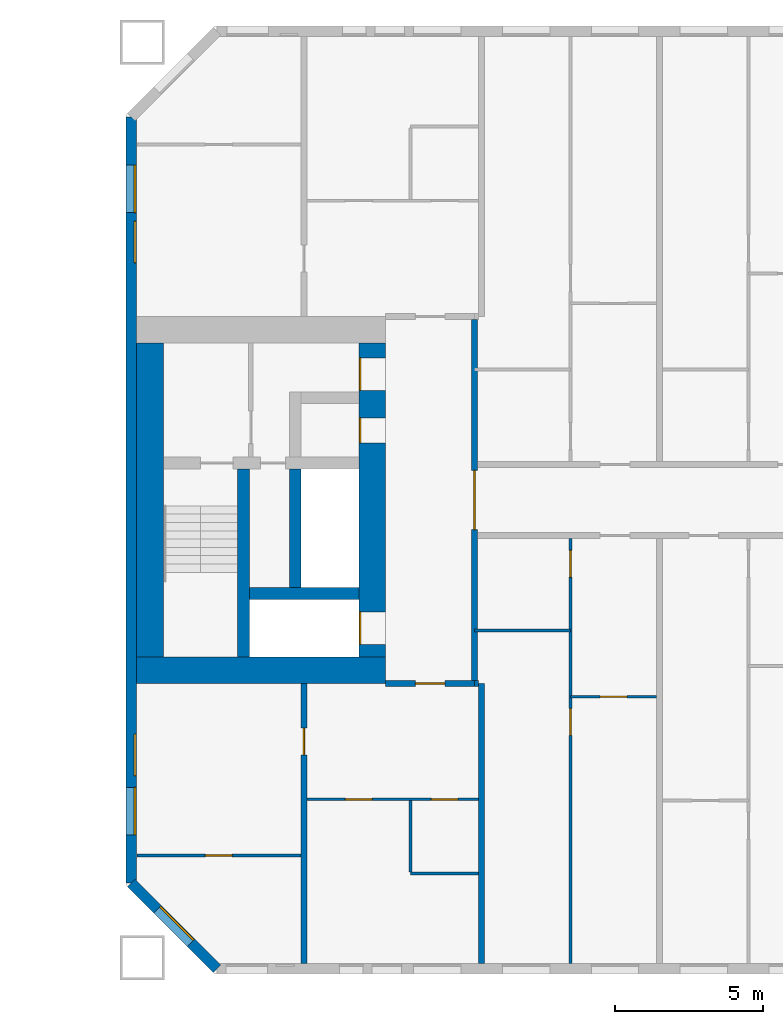
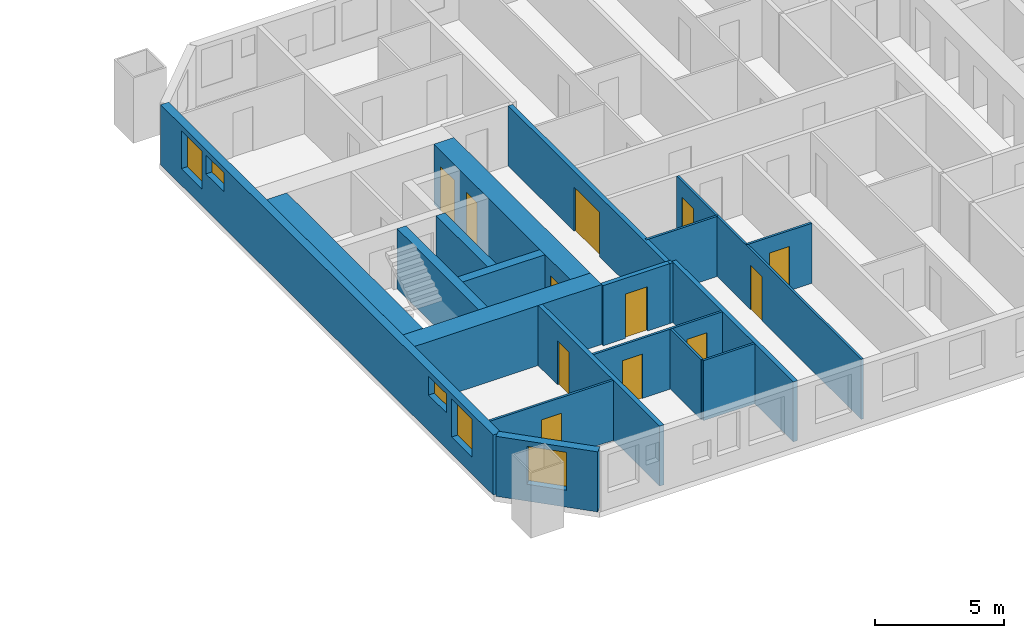
# One storey, part 9 of 17: 20 walls, 12 doors, 5 windows, 17 openings.
"""IFC4 building model written with IfcOpenShell, lengths in metres."""

from ifc_helpers import new_model, si_unit, direction, frame, frame_2d, origin, place, context, subcontext, project, spatial, rectangle, extrude, material, layer, layer_set, type_object, element, fill, save


model = new_model("IFC4")

# Units and contexts
model_context = context("Model", 3, precision=1e-05, world=origin(), true_north=direction((0.0, 1.0)))
body_context = subcontext(model_context, "Body", "Model", "MODEL_VIEW")
ifc_project = project(units=[si_unit("LENGTHUNIT", "METRE"), si_unit("AREAUNIT", "SQUARE_METRE"), si_unit("VOLUMEUNIT", "CUBIC_METRE"), si_unit("PLANEANGLEUNIT", "RADIAN"), si_unit("MASSUNIT", "GRAM", prefix="KILO")], contexts=[model_context])

# Site, building, storey
site_placement = place(None, origin())
site = spatial("IfcSite", under=ifc_project, at=site_placement, CompositionType="ELEMENT")
building_placement = place(site_placement, origin())
building = spatial("IfcBuilding", under=site, at=building_placement, Name="Tuart Gate Housing", CompositionType="ELEMENT")
storey_placement = place(building_placement, frame((0.0, 0.0, 22.60009765625)))
storey = spatial("IfcBuildingStorey", under=building, at=storey_placement, Name="L05", CompositionType="ELEMENT", Elevation=22.60009765625)

# Wall, opening, window
ifc_material_1 = material(Name="Brick", Category="masonry")
ifc_layer_1 = layer(ifc_material_1, 0.360107421875)
ifc_layer_set_1 = layer_set([ifc_layer_1], Name="Brick pier and spandrel wall 360")
wall_type_1 = type_object("IfcWallType", Name="Brick pier and spandrel wall 360", PredefinedType="STANDARD", material=ifc_layer_set_1)
wall_1_placement = place(storey_placement, frame((131.179931640625, 57.07470703125, 0.0), z_axis=(0.0, 0.0, 1.0), x_axis=(0.707106781187, -0.707106781187, 0.0)))
wall_1 = element("IfcWall", 1, at=wall_1_placement, inside=storey, type_object=wall_type_1, Name="External wall B-SW L05", PredefinedType="STANDARD", context=body_context, shape_type="SweptSolid", body=[
    extrude(rectangle(XDim=4.09375, YDim=0.360107421875, at=frame_2d((2.046875, 0.0))), origin(), (0.0, 0.0, 1.0), 2.849853515625),
])
opening_1_placement = place(wall_1_placement, frame((1.2470703125, 0.0, 0.800048828125)))
opening_1 = element("IfcOpeningElement", 2, at=opening_1_placement, cuts=wall_1, Name="Opening W1", PredefinedType="OPENING", context=body_context, shape_type="SweptSolid", body=[
    extrude(rectangle(XDim=1.60009765625, YDim=1.800048828125, at=frame_2d((0.800048828125, 0.89990234375))), frame((0.0, 0.18994140625, 0.0), z_axis=(0.0, -1.0, 0.0), x_axis=(1.0, 0.0, 0.0)), (0.0, 0.0, 1.0), 0.380126953125),
])
ifc_material_2 = material(Name="Aluminium frame with clear glass", Category="aluminium")
window_type_1 = type_object("IfcWindowType", Name="Punched window 1600 x 1800", PartitioningType="SINGLE_PANEL", PredefinedType="WINDOW", material=ifc_material_2)
window_1_placement = place(opening_1_placement, origin())
window_1 = element("IfcWindow", 3, at=window_1_placement, inside=storey, type_object=window_type_1, Name="Window W1", OverallHeight=1.800048828125, OverallWidth=1.60009765625, PartitioningType="SINGLE_PANEL", PredefinedType="WINDOW", context=body_context, shape_type="SweptSolid", body=[
    extrude(rectangle(XDim=1.60009765625, YDim=1.800048828125, at=frame_2d((0.800048828125, 0.89990234375))), frame((0.0, 0.150146484375, 0.0), z_axis=(0.0, -1.0, 0.0), x_axis=(1.0, 0.0, 0.0)), (0.0, 0.0, 1.0), 0.06005859375),
])
fill(opening_1, window_1)

# Wall, openings, windows
wall_2_placement = place(storey_placement, frame((131.179931640625, 82.92529296875, 0.0), z_axis=(0.0, 0.0, 1.0), x_axis=(0.0, -1.0, 0.0)))
wall_2 = element("IfcWall", 4, at=wall_2_placement, inside=storey, type_object=wall_type_1, Name="External wall B-W L05", PredefinedType="STANDARD", context=body_context, shape_type="SweptSolid", body=[
    extrude(rectangle(XDim=25.850830078125, YDim=0.360107421875, at=frame_2d((12.92529296875, 0.0))), origin(), (0.0, 0.0, 1.0), 2.849853515625),
])
opening_2_placement = place(wall_2_placement, frame((1.62548828125, 0.0, 0.800048828125)))
opening_2 = element("IfcOpeningElement", 5, at=opening_2_placement, cuts=wall_2, Name="Opening W1", PredefinedType="OPENING", context=body_context, shape_type="SweptSolid", body=[
    extrude(rectangle(XDim=1.60009765625, YDim=1.800048828125, at=frame_2d((0.800048828125, 0.89990234375))), frame((0.0, 0.18994140625, 0.0), z_axis=(0.0, -1.0, 0.0), x_axis=(1.0, 0.0, 0.0)), (0.0, 0.0, 1.0), 0.380126953125),
])
opening_3_placement = place(wall_2_placement, frame((3.525390625, 0.0, 1.699951171875)))
opening_3 = element("IfcOpeningElement", 6, at=opening_3_placement, cuts=wall_2, Name="Opening W1S", PredefinedType="OPENING", context=body_context, shape_type="SweptSolid", body=[
    extrude(rectangle(XDim=1.39990234375, YDim=0.89990234375, at=frame_2d((0.699951171875, 0.449951171875))), frame((0.0, 0.18994140625, 0.0), z_axis=(0.0, -1.0, 0.0), x_axis=(1.0, 0.0, 0.0)), (0.0, 0.0, 1.0), 0.380126953125),
])
opening_4_placement = place(wall_2_placement, frame((20.825439453125, 0.0, 1.699951171875)))
opening_4 = element("IfcOpeningElement", 7, at=opening_4_placement, cuts=wall_2, Name="Opening W1S", PredefinedType="OPENING", context=body_context, shape_type="SweptSolid", body=[
    extrude(rectangle(XDim=1.39990234375, YDim=0.89990234375, at=frame_2d((0.699951171875, 0.449951171875))), frame((0.0, 0.18994140625, 0.0), z_axis=(0.0, -1.0, 0.0), x_axis=(1.0, 0.0, 0.0)), (0.0, 0.0, 1.0), 0.380126953125),
])
opening_5_placement = place(wall_2_placement, frame((22.62548828125, 0.0, 0.800048828125)))
opening_5 = element("IfcOpeningElement", 8, at=opening_5_placement, cuts=wall_2, Name="Opening W1", PredefinedType="OPENING", context=body_context, shape_type="SweptSolid", body=[
    extrude(rectangle(XDim=1.60009765625, YDim=1.800048828125, at=frame_2d((0.800048828125, 0.89990234375))), frame((0.0, 0.18994140625, 0.0), z_axis=(0.0, -1.0, 0.0), x_axis=(1.0, 0.0, 0.0)), (0.0, 0.0, 1.0), 0.380126953125),
])
ifc_material_3 = material(Name="Aluminium frame with clear glass", Category="aluminium")
window_type_2 = type_object("IfcWindowType", Name="Punched window 1400 x 900", PartitioningType="SINGLE_PANEL", PredefinedType="WINDOW", material=ifc_material_3)
window_2_placement = place(opening_3_placement, origin())
window_2 = element("IfcWindow", 9, at=window_2_placement, inside=storey, type_object=window_type_2, Name="Window W1S", OverallHeight=0.89990234375, OverallWidth=1.39990234375, PartitioningType="SINGLE_PANEL", PredefinedType="WINDOW", context=body_context, shape_type="SweptSolid", body=[
    extrude(rectangle(XDim=1.39990234375, YDim=0.89990234375, at=frame_2d((0.699951171875, 0.449951171875))), frame((0.0, 0.150146484375, 0.0), z_axis=(0.0, -1.0, 0.0), x_axis=(1.0, 0.0, 0.0)), (0.0, 0.0, 1.0), 0.06005859375),
])
fill(opening_3, window_2)
window_3_placement = place(opening_4_placement, origin())
window_3 = element("IfcWindow", 10, at=window_3_placement, inside=storey, type_object=window_type_2, Name="Window W1S", OverallHeight=0.89990234375, OverallWidth=1.39990234375, PartitioningType="SINGLE_PANEL", PredefinedType="WINDOW", context=body_context, shape_type="SweptSolid", body=[
    extrude(rectangle(XDim=1.39990234375, YDim=0.89990234375, at=frame_2d((0.699951171875, 0.449951171875))), frame((0.0, 0.150146484375, 0.0), z_axis=(0.0, -1.0, 0.0), x_axis=(1.0, 0.0, 0.0)), (0.0, 0.0, 1.0), 0.06005859375),
])
fill(opening_4, window_3)
window_4_placement = place(opening_2_placement, origin())
window_4 = element("IfcWindow", 11, at=window_4_placement, inside=storey, type_object=window_type_1, Name="Window W1", OverallHeight=1.800048828125, OverallWidth=1.60009765625, PartitioningType="SINGLE_PANEL", PredefinedType="WINDOW", context=body_context, shape_type="SweptSolid", body=[
    extrude(rectangle(XDim=1.60009765625, YDim=1.800048828125, at=frame_2d((0.800048828125, 0.89990234375))), frame((0.0, 0.150146484375, 0.0), z_axis=(0.0, -1.0, 0.0), x_axis=(1.0, 0.0, 0.0)), (0.0, 0.0, 1.0), 0.06005859375),
])
fill(opening_2, window_4)
window_5_placement = place(opening_5_placement, origin())
window_5 = element("IfcWindow", 12, at=window_5_placement, inside=storey, type_object=window_type_1, Name="Window W1", OverallHeight=1.800048828125, OverallWidth=1.60009765625, PartitioningType="SINGLE_PANEL", PredefinedType="WINDOW", context=body_context, shape_type="SweptSolid", body=[
    extrude(rectangle(XDim=1.60009765625, YDim=1.800048828125, at=frame_2d((0.800048828125, 0.89990234375))), frame((0.0, 0.150146484375, 0.0), z_axis=(0.0, -1.0, 0.0), x_axis=(1.0, 0.0, 0.0)), (0.0, 0.0, 1.0), 0.06005859375),
])
fill(opening_5, window_5)

# Walls
ifc_material_4 = material(Name="Concrete C60", Category="concrete")
ifc_layer_2 = layer(ifc_material_4, 0.39990234375)
ifc_layer_set_2 = layer_set([ifc_layer_2], Name="Core wall 400 C60")
wall_type_2 = type_object("IfcWallType", Name="Core wall 400 C60", PredefinedType="SHEAR", material=ifc_layer_set_2)
wall_3_placement = place(storey_placement, frame((138.860107421875, 66.85009765625, 0.0), z_axis=(0.0, 0.0, 1.0), x_axis=(-1.0, 0.0, 0.0)))
element("IfcWall", 13, at=wall_3_placement, inside=storey, type_object=wall_type_2, Name="Core wall BG.1", PredefinedType="SHEAR", context=body_context, shape_type="SweptSolid", body=[
    extrude(rectangle(XDim=3.7001953125, YDim=0.39990234375, at=frame_2d((1.85009765625, 0.0))), origin(), (0.0, 0.0, 1.0), 2.849853515625),
])
wall_4_placement = place(storey_placement, frame((136.7099609375, 67.050048828125, 0.0), z_axis=(0.0, 0.0, 1.0), x_axis=(0.0, 1.0, 0.0)))
element("IfcWall", 14, at=wall_4_placement, inside=storey, type_object=wall_type_2, Name="Core wall BG.4", PredefinedType="SHEAR", context=body_context, shape_type="SweptSolid", body=[
    extrude(rectangle(XDim=4.0, YDim=0.39990234375, at=frame_2d((2.0, 0.0))), origin(), (0.0, 0.0, 1.0), 2.849853515625),
])
wall_5_placement = place(storey_placement, frame((134.9599609375, 64.699951171875, 0.0), z_axis=(0.0, 0.0, 1.0), x_axis=(0.0, 1.0, 0.0)))
element("IfcWall", 15, at=wall_5_placement, inside=storey, type_object=wall_type_2, Name="Core wall BG.7", PredefinedType="SHEAR", context=body_context, shape_type="SweptSolid", body=[
    extrude(rectangle(XDim=6.35009765625, YDim=0.39990234375, at=frame_2d((3.175048828125, 0.0))), origin(), (0.0, 0.0, 1.0), 2.849853515625),
])

# Wall, openings, doors
ifc_material_5 = material(Name="Concrete C60", Category="concrete")
ifc_layer_3 = layer(ifc_material_5, 0.89990234375)
ifc_layer_set_3 = layer_set([ifc_layer_3], Name="Core wall 900 C60")
wall_type_3 = type_object("IfcWallType", Name="Core wall 900 C60", PredefinedType="SHEAR", material=ifc_layer_set_3)
wall_6_placement = place(storey_placement, frame((139.31005859375, 64.699951171875, 0.0), z_axis=(0.0, 0.0, 1.0), x_axis=(0.0, 1.0, 0.0)))
wall_6 = element("IfcWall", 16, at=wall_6_placement, inside=storey, type_object=wall_type_3, Name="Core wall BG front", PredefinedType="SHEAR", context=body_context, shape_type="SweptSolid", body=[
    extrude(rectangle(XDim=10.60009765625, YDim=0.89990234375, at=frame_2d((5.300048828125, 0.0))), origin(), (0.0, 0.0, 1.0), 2.849853515625),
])
opening_6_placement = place(wall_6_placement, frame((0.425048828125, 0.0, 0.0)))
opening_6 = element("IfcOpeningElement", 17, at=opening_6_placement, cuts=wall_6, Name="Opening LD-FB1", PredefinedType="OPENING", context=body_context, shape_type="SweptSolid", body=[
    extrude(rectangle(XDim=1.10009765625, YDim=2.10009765625, at=frame_2d((0.550048828125, 1.050048828125))), frame((0.0, 0.4599609375, 0.0), z_axis=(0.0, -1.0, 0.0), x_axis=(1.0, 0.0, 0.0)), (0.0, 0.0, 1.0), 0.919921875),
])
opening_7_placement = place(wall_6_placement, frame((9.0, 0.0, 0.0)))
opening_7 = element("IfcOpeningElement", 18, at=opening_7_placement, cuts=wall_6, Name="Opening D435", PredefinedType="OPENING", context=body_context, shape_type="SweptSolid", body=[
    extrude(rectangle(XDim=1.10009765625, YDim=2.10009765625, at=frame_2d((0.550048828125, 1.050048828125))), frame((0.0, 0.4599609375, 0.0), z_axis=(0.0, -1.0, 0.0), x_axis=(1.0, 0.0, 0.0)), (0.0, 0.0, 1.0), 0.919921875),
])
opening_8_placement = place(wall_6_placement, frame((7.22509765625, 0.0, 0.0)))
opening_8 = element("IfcOpeningElement", 19, at=opening_8_placement, cuts=wall_6, Name="Opening D436", PredefinedType="OPENING", context=body_context, shape_type="SweptSolid", body=[
    extrude(rectangle(XDim=0.85009765625, YDim=2.10009765625, at=frame_2d((0.425048828125, 1.050048828125))), frame((0.0, 0.4599609375, 0.0), z_axis=(0.0, -1.0, 0.0), x_axis=(1.0, 0.0, 0.0)), (0.0, 0.0, 1.0), 0.919921875),
])
ifc_material_6 = material(Name="Stainless steel", Category="steel")
door_type_1 = type_object("IfcDoorType", Name="Landing door 1100 x 2100", OperationType="DOUBLE_DOOR_SLIDING", PredefinedType="DOOR", material=ifc_material_6)
door_1_placement = place(opening_6_placement, origin())
door_1 = element("IfcDoor", 20, at=door_1_placement, inside=storey, type_object=door_type_1, Name="Lift landing door FB1", OperationType="DOUBLE_DOOR_SLIDING", OverallHeight=2.10009765625, OverallWidth=1.10009765625, PredefinedType="DOOR", context=body_context, shape_type="SweptSolid", body=[
    extrude(rectangle(XDim=1.10009765625, YDim=2.10009765625, at=frame_2d((0.550048828125, 1.050048828125))), frame((0.0, 0.43505859375, 0.0), z_axis=(0.0, -1.0, 0.0), x_axis=(1.0, 0.0, 0.0)), (0.0, 0.0, 1.0), 0.050048828125),
])
fill(opening_6, door_1)
ifc_material_7 = material(Name="Steel fire door", Category="steel")
door_type_2 = type_object("IfcDoorType", Name="Lobby door 1100 x 2100", OperationType="SINGLE_SWING_LEFT", PredefinedType="DOOR", material=ifc_material_7)
door_2_placement = place(opening_7_placement, origin())
door_2 = element("IfcDoor", 21, at=door_2_placement, inside=storey, type_object=door_type_2, Name="Lobby entry door BG.EN", OperationType="SINGLE_SWING_LEFT", OverallHeight=2.10009765625, OverallWidth=1.10009765625, PredefinedType="DOOR", context=body_context, shape_type="SweptSolid", body=[
    extrude(rectangle(XDim=1.10009765625, YDim=2.10009765625, at=frame_2d((0.550048828125, 1.050048828125))), frame((0.0, 0.43505859375, 0.0), z_axis=(0.0, -1.0, 0.0), x_axis=(1.0, 0.0, 0.0)), (0.0, 0.0, 1.0), 0.050048828125),
])
fill(opening_7, door_2)
ifc_material_8 = material(Name="Steel fire door", Category="steel")
door_type_3 = type_object("IfcDoorType", Name="Service door 850 x 2100", OperationType="SINGLE_SWING_LEFT", PredefinedType="DOOR", material=ifc_material_8)
door_3_placement = place(opening_8_placement, origin())
door_3 = element("IfcDoor", 22, at=door_3_placement, inside=storey, type_object=door_type_3, Name="Service room door BG.T1", OperationType="SINGLE_SWING_LEFT", OverallHeight=2.10009765625, OverallWidth=0.85009765625, PredefinedType="DOOR", context=body_context, shape_type="SweptSolid", body=[
    extrude(rectangle(XDim=0.85009765625, YDim=2.10009765625, at=frame_2d((0.425048828125, 1.050048828125))), frame((0.0, 0.43505859375, 0.0), z_axis=(0.0, -1.0, 0.0), x_axis=(1.0, 0.0, 0.0)), (0.0, 0.0, 1.0), 0.050048828125),
])
fill(opening_8, door_3)

# Walls
wall_7_placement = place(storey_placement, frame((131.81005859375, 64.699951171875, 0.0), z_axis=(0.0, 0.0, 1.0), x_axis=(0.0, 1.0, 0.0)))
element("IfcWall", 23, at=wall_7_placement, inside=storey, type_object=wall_type_3, Name="Core wall BG back", PredefinedType="SHEAR", context=body_context, shape_type="SweptSolid", body=[
    extrude(rectangle(XDim=10.60009765625, YDim=0.89990234375, at=frame_2d((5.300048828125, 0.0))), origin(), (0.0, 0.0, 1.0), 2.849853515625),
])
wall_8_placement = place(storey_placement, frame((139.760009765625, 64.25, 0.0), z_axis=(0.0, 0.0, 1.0), x_axis=(-1.0, 0.0, 0.0)))
element("IfcWall", 24, at=wall_8_placement, inside=storey, type_object=wall_type_3, Name="Core wall BG south", PredefinedType="SHEAR", context=body_context, shape_type="SweptSolid", body=[
    extrude(rectangle(XDim=8.39990234375, YDim=0.89990234375, at=frame_2d((4.199951171875, 0.0))), origin(), (0.0, 0.0, 1.0), 2.849853515625),
])

# Wall, opening, door
ifc_material_9 = material(Name="Concrete masonry 15 MPa", Category="masonry")
ifc_layer_4 = layer(ifc_material_9, 0.199951171875)
ifc_layer_set_4 = layer_set([ifc_layer_4], Name="Enclosure wall masonry 200")
wall_type_4 = type_object("IfcWallType", Name="Enclosure wall masonry 200", PredefinedType="PARTITIONING", material=ifc_layer_set_4)
wall_9_placement = place(storey_placement, frame((139.760009765625, 63.800048828125, 0.0), z_axis=(0.0, 0.0, 1.0), x_axis=(1.0, 0.0, 0.0)))
wall_9 = element("IfcWall", 25, at=wall_9_placement, inside=storey, type_object=wall_type_4, Name="Enclosure wall masonry 200", PredefinedType="PARTITIONING", context=body_context, shape_type="SweptSolid", body=[
    extrude(rectangle(XDim=3.0, YDim=0.199951171875, at=frame_2d((1.5, 0.0))), origin(), (0.0, 0.0, 1.0), 2.849853515625),
])
opening_9_placement = place(wall_9_placement, frame((1.0, 0.0, 0.0)))
opening_9 = element("IfcOpeningElement", 26, at=opening_9_placement, cuts=wall_9, Name="Opening D447", PredefinedType="OPENING", context=body_context, shape_type="SweptSolid", body=[
    extrude(rectangle(XDim=1.0, YDim=2.10009765625, at=frame_2d((0.5, 1.050048828125))), frame((0.0, 0.10986328125, 0.0), z_axis=(0.0, -1.0, 0.0), x_axis=(1.0, 0.0, 0.0)), (0.0, 0.0, 1.0), 0.219970703125),
])
ifc_material_10 = material(Name="Timber door leaf in steel frame", Category="steel")
door_type_4 = type_object("IfcDoorType", Name="Flat entrance door 1000", OperationType="SINGLE_SWING_LEFT", PredefinedType="DOOR", material=ifc_material_10)
door_4_placement = place(opening_9_placement, frame((1.0, 0.0, 0.0), z_axis=(0.0, 0.0, 1.0), x_axis=(-1.0, 0.0, 0.0)))
door_4 = element("IfcDoor", 27, at=door_4_placement, inside=storey, type_object=door_type_4, Name="Flat entrance door", OperationType="SINGLE_SWING_LEFT", OverallHeight=2.10009765625, OverallWidth=1.0, PredefinedType="DOOR", context=body_context, shape_type="SweptSolid", body=[
    extrude(rectangle(XDim=1.0, YDim=2.10009765625, at=frame_2d((0.5, 1.050048828125))), frame((0.0, 0.025146484375, 0.0), z_axis=(0.0, -1.0, 0.0), x_axis=(1.0, 0.0, 0.0)), (0.0, 0.0, 1.0), 0.050048828125),
])
fill(opening_9, door_4)

ifc_material_11 = material(Name="Plasterboard partition")
ifc_layer_5 = layer(ifc_material_11, 0.199951171875)
ifc_layer_set_5 = layer_set([ifc_layer_5], Name="Lobby wall 200")
wall_type_5 = type_object("IfcWallType", Name="Lobby wall 200", PredefinedType="PARTITIONING", material=ifc_layer_set_5)
wall_10_placement = place(storey_placement, frame((142.760009765625, 63.89990234375, 0.0), z_axis=(0.0, 0.0, 1.0), x_axis=(0.0, 1.0, 0.0)))
wall_10 = element("IfcWall", 28, at=wall_10_placement, inside=storey, type_object=wall_type_5, Name="Lift lobby wall BG", PredefinedType="PARTITIONING", context=body_context, shape_type="SweptSolid", body=[
    extrude(rectangle(XDim=12.2001953125, YDim=0.199951171875, at=frame_2d((6.10009765625, 0.0))), origin(), (0.0, 0.0, 1.0), 2.849853515625),
])
opening_10_placement = place(wall_10_placement, frame((5.10009765625, 0.0, 0.0)))
opening_10 = element("IfcOpeningElement", 29, at=opening_10_placement, cuts=wall_10, Name="Opening D437", PredefinedType="OPENING", context=body_context, shape_type="SweptSolid", body=[
    extrude(rectangle(XDim=2.0, YDim=2.10009765625, at=frame_2d((1.0, 1.050048828125))), frame((0.0, 0.10986328125, 0.0), z_axis=(0.0, -1.0, 0.0), x_axis=(1.0, 0.0, 0.0)), (0.0, 0.0, 1.0), 0.219970703125),
])
ifc_material_12 = material(Name="Steel fire door", Category="steel")
door_type_5 = type_object("IfcDoorType", Name="Smoke door 2000 x 2100", OperationType="DOUBLE_DOOR_SINGLE_SWING", PredefinedType="DOOR", material=ifc_material_12)
door_5_placement = place(opening_10_placement, origin())
door_5 = element("IfcDoor", 30, at=door_5_placement, inside=storey, type_object=door_type_5, Name="Lift lobby smoke door BG", OperationType="DOUBLE_DOOR_SINGLE_SWING", OverallHeight=2.10009765625, OverallWidth=2.0, PredefinedType="DOOR", context=body_context, shape_type="SweptSolid", body=[
    extrude(rectangle(XDim=2.0, YDim=2.10009765625, at=frame_2d((1.0, 1.050048828125))), frame((0.0, 0.02490234375, 0.0), z_axis=(0.0, -1.0, 0.0), x_axis=(1.0, 0.0, 0.0)), (0.0, 0.0, 1.0), 0.050048828125),
])
fill(opening_10, door_5)

# Wall
ifc_material_13 = material(Name="Gypsum board on steel studs", Category="steel")
ifc_layer_6 = layer(ifc_material_13, 0.10009765625)
ifc_layer_set_6 = layer_set([ifc_layer_6], Name="Partition 100")
wall_type_6 = type_object("IfcWallType", Name="Partition 100", PredefinedType="PARTITIONING", material=ifc_layer_set_6)
wall_11_placement = place(storey_placement, frame((140.60009765625, 57.39990234375, 0.0), z_axis=(0.0, 0.0, 1.0), x_axis=(1.0, 0.0, 0.0)))
element("IfcWall", 31, at=wall_11_placement, inside=storey, type_object=wall_type_6, Name="Partition 100", PredefinedType="PARTITIONING", context=body_context, shape_type="SweptSolid", body=[
    extrude(rectangle(XDim=2.2998046875, YDim=0.10009765625, at=frame_2d((1.14990234375, 0.0))), origin(), (0.0, 0.0, 1.0), 2.849853515625),
])

# Wall, opening, door
wall_12_placement = place(storey_placement, frame((131.360107421875, 58.0, 0.0), z_axis=(0.0, 0.0, 1.0), x_axis=(1.0, 0.0, 0.0)))
wall_12 = element("IfcWall", 32, at=wall_12_placement, inside=storey, type_object=wall_type_6, Name="Partition 100", PredefinedType="PARTITIONING", context=body_context, shape_type="SweptSolid", body=[
    extrude(rectangle(XDim=5.539794921875, YDim=0.10009765625, at=frame_2d((2.77001953125, 0.0))), origin(), (0.0, 0.0, 1.0), 2.849853515625),
])
opening_11_placement = place(wall_12_placement, frame((2.320068359375, 0.0, 0.0)))
opening_11 = element("IfcOpeningElement", 33, at=opening_11_placement, cuts=wall_12, Name="Opening D461", PredefinedType="OPENING", context=body_context, shape_type="SweptSolid", body=[
    extrude(rectangle(XDim=0.89990234375, YDim=2.10009765625, at=frame_2d((0.449951171875, 1.050048828125))), frame((0.0, 0.06005859375, 0.0), z_axis=(0.0, -1.0, 0.0), x_axis=(1.0, 0.0, 0.0)), (0.0, 0.0, 1.0), 0.1201171875),
])
ifc_material_14 = material(Name="Timber door leaf in steel frame", Category="steel")
door_type_6 = type_object("IfcDoorType", Name="Internal door 900 RH", OperationType="SINGLE_SWING_RIGHT", PredefinedType="DOOR", material=ifc_material_14)
door_6_placement = place(opening_11_placement, frame((0.89990234375, 0.0, 0.0), z_axis=(0.0, 0.0, 1.0), x_axis=(-1.0, 0.0, 0.0)))
door_6 = element("IfcDoor", 34, at=door_6_placement, inside=storey, type_object=door_type_6, Name="Internal door", OperationType="SINGLE_SWING_RIGHT", OverallHeight=2.10009765625, OverallWidth=0.89990234375, PredefinedType="DOOR", context=body_context, shape_type="SweptSolid", body=[
    extrude(rectangle(XDim=0.89990234375, YDim=2.10009765625, at=frame_2d((0.449951171875, 1.050048828125))), frame((0.0, 0.025146484375, 0.0), z_axis=(0.0, -1.0, 0.0), x_axis=(1.0, 0.0, 0.0)), (0.0, 0.0, 1.0), 0.050048828125),
])
fill(opening_11, door_6)

# Wall, openings, doors
wall_13_placement = place(storey_placement, frame((137.10009765625, 59.89990234375, 0.0), z_axis=(0.0, 0.0, 1.0), x_axis=(1.0, 0.0, 0.0)))
wall_13 = element("IfcWall", 35, at=wall_13_placement, inside=storey, type_object=wall_type_6, Name="Partition 100", PredefinedType="PARTITIONING", context=body_context, shape_type="SweptSolid", body=[
    extrude(rectangle(XDim=5.7998046875, YDim=0.10009765625, at=frame_2d((2.89990234375, 0.0))), origin(), (0.0, 0.0, 1.0), 2.849853515625),
])
opening_12_placement = place(wall_13_placement, frame((1.300048828125, 0.0, 0.0)))
opening_12 = element("IfcOpeningElement", 36, at=opening_12_placement, cuts=wall_13, Name="Opening D458", PredefinedType="OPENING", context=body_context, shape_type="SweptSolid", body=[
    extrude(rectangle(XDim=0.89990234375, YDim=2.10009765625, at=frame_2d((0.449951171875, 1.050048828125))), frame((0.0, 0.06005859375, 0.0), z_axis=(0.0, -1.0, 0.0), x_axis=(1.0, 0.0, 0.0)), (0.0, 0.0, 1.0), 0.1201171875),
])
opening_13_placement = place(wall_13_placement, frame((4.199951171875, 0.0, 0.0)))
opening_13 = element("IfcOpeningElement", 37, at=opening_13_placement, cuts=wall_13, Name="Opening D457", PredefinedType="OPENING", context=body_context, shape_type="SweptSolid", body=[
    extrude(rectangle(XDim=0.89990234375, YDim=2.10009765625, at=frame_2d((0.449951171875, 1.050048828125))), frame((0.0, 0.06005859375, 0.0), z_axis=(0.0, -1.0, 0.0), x_axis=(1.0, 0.0, 0.0)), (0.0, 0.0, 1.0), 0.1201171875),
])
ifc_material_15 = material(Name="Timber door leaf in steel frame", Category="steel")
door_type_7 = type_object("IfcDoorType", Name="Bathroom door 900 RH", OperationType="SINGLE_SWING_RIGHT", PredefinedType="DOOR", material=ifc_material_15)
door_7_placement = place(opening_13_placement, frame((0.89990234375, 0.0, 0.0), z_axis=(0.0, 0.0, 1.0), x_axis=(-1.0, 0.0, 0.0)))
door_7 = element("IfcDoor", 38, at=door_7_placement, inside=storey, type_object=door_type_7, Name="Bathroom door", OperationType="SINGLE_SWING_RIGHT", OverallHeight=2.10009765625, OverallWidth=0.89990234375, PredefinedType="DOOR", context=body_context, shape_type="SweptSolid", body=[
    extrude(rectangle(XDim=0.89990234375, YDim=2.10009765625, at=frame_2d((0.449951171875, 1.050048828125))), frame((0.0, 0.025146484375, 0.0), z_axis=(0.0, -1.0, 0.0), x_axis=(1.0, 0.0, 0.0)), (0.0, 0.0, 1.0), 0.050048828125),
])
fill(opening_13, door_7)
ifc_material_16 = material(Name="Timber door leaf in steel frame", Category="steel")
door_type_8 = type_object("IfcDoorType", Name="Internal door 900", OperationType="SINGLE_SWING_LEFT", PredefinedType="DOOR", material=ifc_material_16)
door_8_placement = place(opening_12_placement, frame((0.89990234375, 0.0, 0.0), z_axis=(0.0, 0.0, 1.0), x_axis=(-1.0, 0.0, 0.0)))
door_8 = element("IfcDoor", 39, at=door_8_placement, inside=storey, type_object=door_type_8, Name="Internal door", OperationType="SINGLE_SWING_LEFT", OverallHeight=2.10009765625, OverallWidth=0.89990234375, PredefinedType="DOOR", context=body_context, shape_type="SweptSolid", body=[
    extrude(rectangle(XDim=0.89990234375, YDim=2.10009765625, at=frame_2d((0.449951171875, 1.050048828125))), frame((0.0, 0.025146484375, 0.0), z_axis=(0.0, -1.0, 0.0), x_axis=(1.0, 0.0, 0.0)), (0.0, 0.0, 1.0), 0.050048828125),
])
fill(opening_12, door_8)

# Wall, opening, door
wall_14_placement = place(storey_placement, frame((146.0, 63.360107421875, 0.0), z_axis=(0.0, 0.0, 1.0), x_axis=(1.0, 0.0, 0.0)))
wall_14 = element("IfcWall", 40, at=wall_14_placement, inside=storey, type_object=wall_type_6, Name="Partition 100", PredefinedType="PARTITIONING", context=body_context, shape_type="SweptSolid", body=[
    extrude(rectangle(XDim=2.89990234375, YDim=0.10009765625, at=frame_2d((1.449951171875, 0.0))), origin(), (0.0, 0.0, 1.0), 2.849853515625),
])
opening_14_placement = place(wall_14_placement, frame((1.0, 0.0, 0.0)))
opening_14 = element("IfcOpeningElement", 41, at=opening_14_placement, cuts=wall_14, Name="Opening D450", PredefinedType="OPENING", context=body_context, shape_type="SweptSolid", body=[
    extrude(rectangle(XDim=0.89990234375, YDim=2.10009765625, at=frame_2d((0.449951171875, 1.050048828125))), frame((0.0, 0.06005859375, 0.0), z_axis=(0.0, -1.0, 0.0), x_axis=(1.0, 0.0, 0.0)), (0.0, 0.0, 1.0), 0.1201171875),
])
door_9_placement = place(opening_14_placement, origin())
door_9 = element("IfcDoor", 42, at=door_9_placement, inside=storey, type_object=door_type_8, Name="Internal door", OperationType="SINGLE_SWING_LEFT", OverallHeight=2.10009765625, OverallWidth=0.89990234375, PredefinedType="DOOR", context=body_context, shape_type="SweptSolid", body=[
    extrude(rectangle(XDim=0.89990234375, YDim=2.10009765625, at=frame_2d((0.449951171875, 1.050048828125))), frame((0.0, 0.02490234375, 0.0), z_axis=(0.0, -1.0, 0.0), x_axis=(1.0, 0.0, 0.0)), (0.0, 0.0, 1.0), 0.050048828125),
])
fill(opening_14, door_9)

# Walls
wall_15_placement = place(storey_placement, frame((142.760009765625, 65.60009765625, 0.0), z_axis=(0.0, 0.0, 1.0), x_axis=(1.0, 0.0, 0.0)))
element("IfcWall", 43, at=wall_15_placement, inside=storey, type_object=wall_type_6, Name="Partition 100", PredefinedType="PARTITIONING", context=body_context, shape_type="SweptSolid", body=[
    extrude(rectangle(XDim=3.239990234375, YDim=0.10009765625, at=frame_2d((1.6201171875, 0.0))), origin(), (0.0, 0.0, 1.0), 2.849853515625),
])
wall_16_placement = place(storey_placement, frame((140.60009765625, 57.449951171875, 0.0), z_axis=(0.0, 0.0, 1.0), x_axis=(0.0, 1.0, 0.0)))
element("IfcWall", 44, at=wall_16_placement, inside=storey, type_object=wall_type_6, Name="Partition 100", PredefinedType="PARTITIONING", context=body_context, shape_type="SweptSolid", body=[
    extrude(rectangle(XDim=2.400146484375, YDim=0.10009765625, at=frame_2d((1.2001953125, 0.0))), origin(), (0.0, 0.0, 1.0), 2.849853515625),
])

# Wall, openings, doors
wall_17_placement = place(storey_placement, frame((146.0, 54.360107421875, 0.0), z_axis=(0.0, 0.0, 1.0), x_axis=(0.0, 1.0, 0.0)))
wall_17 = element("IfcWall", 45, at=wall_17_placement, inside=storey, type_object=wall_type_6, Name="Partition 100", PredefinedType="PARTITIONING", context=body_context, shape_type="SweptSolid", body=[
    extrude(rectangle(XDim=14.33984375, YDim=0.10009765625, at=frame_2d((7.169921875, 0.0))), origin(), (0.0, 0.0, 1.0), 2.849853515625),
])
opening_15_placement = place(wall_17_placement, frame((7.699951171875, 0.0, 0.0)))
opening_15 = element("IfcOpeningElement", 46, at=opening_15_placement, cuts=wall_17, Name="Opening D452", PredefinedType="OPENING", context=body_context, shape_type="SweptSolid", body=[
    extrude(rectangle(XDim=0.89990234375, YDim=2.10009765625, at=frame_2d((0.449951171875, 1.050048828125))), frame((0.0, 0.06005859375, 0.0), z_axis=(0.0, -1.0, 0.0), x_axis=(1.0, 0.0, 0.0)), (0.0, 0.0, 1.0), 0.1201171875),
])
opening_16_placement = place(wall_17_placement, frame((13.0400390625, 0.0, 0.0)))
opening_16 = element("IfcOpeningElement", 47, at=opening_16_placement, cuts=wall_17, Name="Opening D451", PredefinedType="OPENING", context=body_context, shape_type="SweptSolid", body=[
    extrude(rectangle(XDim=0.89990234375, YDim=2.10009765625, at=frame_2d((0.449951171875, 1.050048828125))), frame((0.0, 0.06005859375, 0.0), z_axis=(0.0, -1.0, 0.0), x_axis=(1.0, 0.0, 0.0)), (0.0, 0.0, 1.0), 0.1201171875),
])
door_10_placement = place(opening_16_placement, origin())
door_10 = element("IfcDoor", 48, at=door_10_placement, inside=storey, type_object=door_type_7, Name="Bathroom door", OperationType="SINGLE_SWING_RIGHT", OverallHeight=2.10009765625, OverallWidth=0.89990234375, PredefinedType="DOOR", context=body_context, shape_type="SweptSolid", body=[
    extrude(rectangle(XDim=0.89990234375, YDim=2.10009765625, at=frame_2d((0.449951171875, 1.050048828125))), frame((0.0, 0.02490234375, 0.0), z_axis=(0.0, -1.0, 0.0), x_axis=(1.0, 0.0, 0.0)), (0.0, 0.0, 1.0), 0.050048828125),
])
fill(opening_16, door_10)
door_11_placement = place(opening_15_placement, origin())
door_11 = element("IfcDoor", 49, at=door_11_placement, inside=storey, type_object=door_type_6, Name="Internal door", OperationType="SINGLE_SWING_RIGHT", OverallHeight=2.10009765625, OverallWidth=0.89990234375, PredefinedType="DOOR", context=body_context, shape_type="SweptSolid", body=[
    extrude(rectangle(XDim=0.89990234375, YDim=2.10009765625, at=frame_2d((0.449951171875, 1.050048828125))), frame((0.0, 0.02490234375, 0.0), z_axis=(0.0, -1.0, 0.0), x_axis=(1.0, 0.0, 0.0)), (0.0, 0.0, 1.0), 0.050048828125),
])
fill(opening_15, door_11)

# Wall, opening, door
ifc_material_17 = material(Name="Concrete C40", Category="concrete")
ifc_layer_7 = layer(ifc_material_17, 0.199951171875)
ifc_layer_set_7 = layer_set([ifc_layer_7], Name="Party wall concrete C40 200")
wall_type_7 = type_object("IfcWallType", Name="Party wall concrete C40 200", PredefinedType="SOLIDWALL", material=ifc_layer_set_7)
wall_18_placement = place(storey_placement, frame((137.0, 54.360107421875, 0.0), z_axis=(0.0, 0.0, 1.0), x_axis=(0.0, 1.0, 0.0)))
wall_18 = element("IfcWall", 50, at=wall_18_placement, inside=storey, type_object=wall_type_7, Name="Party wall concrete C40 200", PredefinedType="SOLIDWALL", context=body_context, shape_type="SweptSolid", body=[
    extrude(rectangle(XDim=9.43994140625, YDim=0.199951171875, at=frame_2d((4.719970703125, 0.0))), origin(), (0.0, 0.0, 1.0), 2.849853515625),
])
opening_17_placement = place(wall_18_placement, frame((7.0400390625, 0.0, 0.0)))
opening_17 = element("IfcOpeningElement", 51, at=opening_17_placement, cuts=wall_18, Name="Opening D460", PredefinedType="OPENING", context=body_context, shape_type="SweptSolid", body=[
    extrude(rectangle(XDim=0.89990234375, YDim=2.10009765625, at=frame_2d((0.449951171875, 1.050048828125))), frame((0.0, 0.10986328125, 0.0), z_axis=(0.0, -1.0, 0.0), x_axis=(1.0, 0.0, 0.0)), (0.0, 0.0, 1.0), 0.219970703125),
])
door_12_placement = place(opening_17_placement, frame((0.89990234375, 0.0, 0.0), z_axis=(0.0, 0.0, 1.0), x_axis=(-1.0, 0.0, 0.0)))
door_12 = element("IfcDoor", 52, at=door_12_placement, inside=storey, type_object=door_type_6, Name="Internal door", OperationType="SINGLE_SWING_RIGHT", OverallHeight=2.10009765625, OverallWidth=0.89990234375, PredefinedType="DOOR", context=body_context, shape_type="SweptSolid", body=[
    extrude(rectangle(XDim=0.89990234375, YDim=2.10009765625, at=frame_2d((0.449951171875, 1.050048828125))), frame((0.0, 0.025146484375, 0.0), z_axis=(0.0, -1.0, 0.0), x_axis=(1.0, 0.0, 0.0)), (0.0, 0.0, 1.0), 0.050048828125),
])
fill(opening_17, door_12)

# Walls
wall_19_placement = place(storey_placement, frame((143.0, 54.360107421875, 0.0), z_axis=(0.0, 0.0, 1.0), x_axis=(0.0, 1.0, 0.0)))
element("IfcWall", 53, at=wall_19_placement, inside=storey, type_object=wall_type_7, Name="Party wall concrete C40 200", PredefinedType="SOLIDWALL", context=body_context, shape_type="SweptSolid", body=[
    extrude(rectangle(XDim=9.43994140625, YDim=0.199951171875, at=frame_2d((4.719970703125, 0.0))), origin(), (0.0, 0.0, 1.0), 2.849853515625),
])
ifc_material_18 = material(Name="Concrete masonry 15 MPa", Category="masonry")
ifc_layer_8 = layer(ifc_material_18, 0.199951171875)
ifc_layer_set_8 = layer_set([ifc_layer_8], Name="Party wall masonry 200")
wall_type_8 = type_object("IfcWallType", Name="Party wall masonry 200", PredefinedType="PARTITIONING", material=ifc_layer_set_8)
wall_20_placement = place(storey_placement, frame((142.760009765625, 63.800048828125, 0.0), z_axis=(0.0, 0.0, 1.0), x_axis=(1.0, 0.0, 0.0)))
element("IfcWall", 54, at=wall_20_placement, inside=storey, type_object=wall_type_8, Name="Party wall masonry 200", PredefinedType="PARTITIONING", context=body_context, shape_type="SweptSolid", body=[
    extrude(rectangle(XDim=0.139892578125, YDim=0.199951171875, at=frame_2d((0.06982421875, 0.0))), origin(), (0.0, 0.0, 1.0), 2.849853515625),
])

save(model, "model.ifc")
